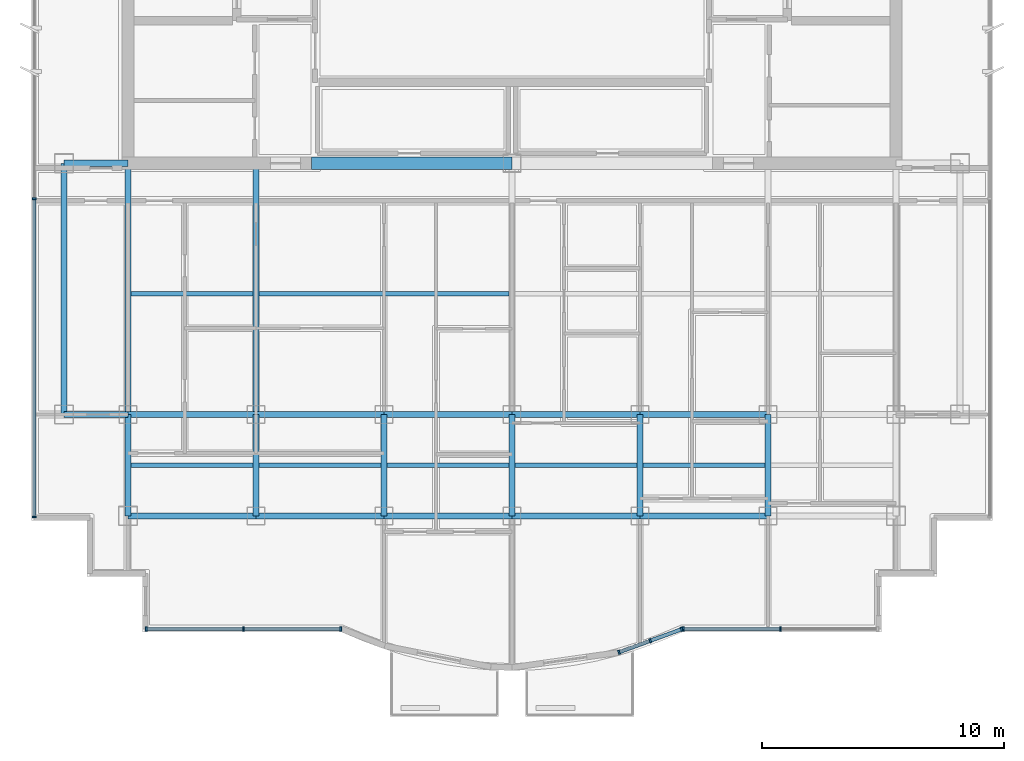
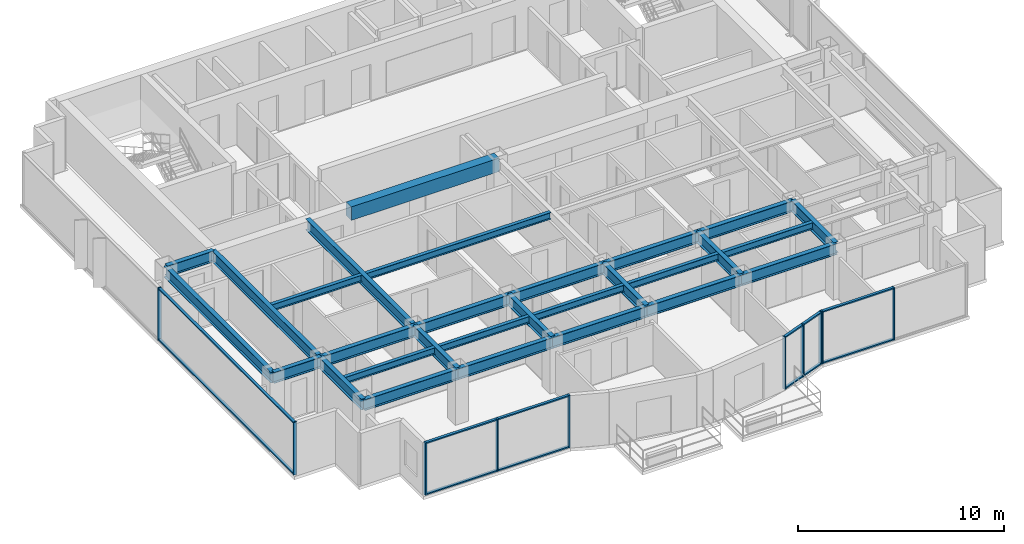
# One storey, part 2 of 12: 29 beams, 22 members, 4 elements without a shape of their own.
"""IFC4 building model written with IfcOpenShell, lengths in metres."""

from ifc_helpers import new_model, si_unit, direction, frame, origin, origin_2d, place, context, subcontext, project, spatial, rectangle, i_section, extrude, source, transform, mapped, material, layer, layer_set, material_profile, profile_set, type_object, element, aggregate, save


model = new_model("IFC4")

# Units and contexts
model_context = context("Model", 3, precision=1e-05, world=origin(), true_north=direction((0.0, 1.0)))
body_context = subcontext(model_context, "Body", "Model", "MODEL_VIEW")
ifc_project = project(units=[si_unit("LENGTHUNIT", "METRE"), si_unit("AREAUNIT", "SQUARE_METRE"), si_unit("VOLUMEUNIT", "CUBIC_METRE"), si_unit("PLANEANGLEUNIT", "RADIAN"), si_unit("MASSUNIT", "GRAM", prefix="KILO")], contexts=[model_context])

# Site, building, storey
site_placement = place(None, origin())
site = spatial("IfcSite", under=ifc_project, at=site_placement, CompositionType="ELEMENT")
building_placement = place(site_placement, origin())
building = spatial("IfcBuilding", under=site, at=building_placement, Name="Qianlan Lanfeng Residences", CompositionType="ELEMENT")
storey_placement = place(building_placement, frame((0.0, 0.0, 216.5)))
storey = spatial("IfcBuildingStorey", under=building, at=storey_placement, Name="L59", CompositionType="ELEMENT", Elevation=216.5)

# Beams
ifc_material_1 = material(Name="Steel SN490B", Category="steel")
ifc_material_profile_1 = material_profile(ifc_material_1, i_section(OverallWidth=0.25, OverallDepth=0.64990234375, WebThickness=0.012939453125, FlangeThickness=0.02197265625, at=origin_2d()), Name="H 650x250x13x22")
ifc_profile_set_1 = profile_set([ifc_material_profile_1], Name="Steel SN490B")
beam_type_1 = type_object("IfcBeamType", Name="G-650", PredefinedType="BEAM", material=ifc_profile_set_1)
beam_1_placement = place(storey_placement, frame((10.60009765625, 10.60009765625, 2.784912109375), z_axis=(1.0, 0.0, 0.0), x_axis=(0.0, 1.0, 0.0)))
element("IfcBeam", 1, at=beam_1_placement, inside=storey, type_object=beam_type_1, Name="Structural beam G-650", PredefinedType="BEAM", context=body_context, shape_type="SweptSolid", body=[
    extrude(i_section(OverallWidth=0.25, OverallDepth=0.64990234375, WebThickness=0.012939453125, FlangeThickness=0.02197265625, at=origin_2d()), origin(), (0.0, 0.0, 1.0), 5.2998046875),
])
for number, where, z_axis, x_axis, name in (
    (2, (15.89990234375, 10.60009765625, 2.784912109375), (1.0, 0.0, 0.0), (0.0, 1.0, 0.0), "Structural beam G-650"),
    (3, (21.199951171875, 10.60009765625, 2.784912109375), (1.0, 0.0, 0.0), (0.0, 1.0, 0.0), "Structural beam G-650"),
    (4, (26.5, 10.60009765625, 2.784912109375), (1.0, 0.0, 0.0), (0.0, 1.0, 0.0), "Structural beam G-650"),
    (5, (31.800048828125, 10.60009765625, 2.784912109375), (1.0, 0.0, 0.0), (0.0, 1.0, 0.0), "Structural beam G-650"),
):
    element("IfcBeam", number, at=place(storey_placement, frame(where, z_axis=z_axis, x_axis=x_axis)), inside=storey, type_object=beam_type_1, Name=name, PredefinedType="BEAM", context=body_context, shape_type="SweptSolid", body=[
        extrude(i_section(OverallWidth=0.25, OverallDepth=0.64990234375, WebThickness=0.012939453125, FlangeThickness=0.02197265625, at=origin_2d()), origin(), (0.0, 0.0, 1.0), 5.300048828125),
    ])
beam_2_placement = place(storey_placement, frame((7.949951171875, 14.800048828125, 2.784912109375), z_axis=(1.0, 0.0, 0.0), x_axis=(0.0, 1.0, 0.0)))
element("IfcBeam", 6, at=beam_2_placement, inside=storey, type_object=beam_type_1, Name="Structural beam G-650", PredefinedType="BEAM", context=body_context, shape_type="SweptSolid", body=[
    extrude(i_section(OverallWidth=0.25, OverallDepth=0.64990234375, WebThickness=0.012939453125, FlangeThickness=0.02197265625, at=origin_2d()), origin(), (0.0, 0.0, 1.0), 2.650146484375),
])
beam_3_placement = place(storey_placement, frame((10.60009765625, 14.800048828125, 2.784912109375), z_axis=(1.0, 0.0, 0.0), x_axis=(0.0, 1.0, 0.0)))
element("IfcBeam", 7, at=beam_3_placement, inside=storey, type_object=beam_type_1, Name="Structural beam G-650", PredefinedType="BEAM", context=body_context, shape_type="SweptSolid", body=[
    extrude(i_section(OverallWidth=0.25, OverallDepth=0.64990234375, WebThickness=0.012939453125, FlangeThickness=0.02197265625, at=origin_2d()), origin(), (0.0, 0.0, 1.0), 5.2998046875),
])
for number, where, z_axis, x_axis, name in (
    (8, (15.89990234375, 14.800048828125, 2.784912109375), (1.0, 0.0, 0.0), (0.0, 1.0, 0.0), "Structural beam G-650"),
    (9, (21.199951171875, 14.800048828125, 2.784912109375), (1.0, 0.0, 0.0), (0.0, 1.0, 0.0), "Structural beam G-650"),
    (10, (26.5, 14.800048828125, 2.784912109375), (1.0, 0.0, 0.0), (0.0, 1.0, 0.0), "Structural beam G-650"),
    (11, (31.800048828125, 14.800048828125, 2.784912109375), (1.0, 0.0, 0.0), (0.0, 1.0, 0.0), "Structural beam G-650"),
):
    element("IfcBeam", number, at=place(storey_placement, frame(where, z_axis=z_axis, x_axis=x_axis)), inside=storey, type_object=beam_type_1, Name=name, PredefinedType="BEAM", context=body_context, shape_type="SweptSolid", body=[
        extrude(i_section(OverallWidth=0.25, OverallDepth=0.64990234375, WebThickness=0.012939453125, FlangeThickness=0.02197265625, at=origin_2d()), origin(), (0.0, 0.0, 1.0), 5.300048828125),
    ])
beam_4_placement = place(storey_placement, frame((7.949951171875, 25.199951171875, 2.784912109375), z_axis=(1.0, 0.0, 0.0), x_axis=(0.0, 1.0, 0.0)))
element("IfcBeam", 12, at=beam_4_placement, inside=storey, type_object=beam_type_1, Name="Structural beam G-650", PredefinedType="BEAM", context=body_context, shape_type="SweptSolid", body=[
    extrude(i_section(OverallWidth=0.25, OverallDepth=0.64990234375, WebThickness=0.012939453125, FlangeThickness=0.02197265625, at=origin_2d()), origin(), (0.0, 0.0, 1.0), 2.650146484375),
])
beam_5_placement = place(storey_placement, frame((10.60009765625, 10.60009765625, 2.784912109375), z_axis=(0.0, 1.0, 0.0), x_axis=(-1.0, 0.0, 0.0)))
element("IfcBeam", 13, at=beam_5_placement, inside=storey, type_object=beam_type_1, Name="Structural beam G-650", PredefinedType="BEAM", context=body_context, shape_type="SweptSolid", body=[
    extrude(i_section(OverallWidth=0.25, OverallDepth=0.64990234375, WebThickness=0.012939453125, FlangeThickness=0.02197265625, at=origin_2d()), origin(), (0.0, 0.0, 1.0), 4.199951171875),
])
beam_6_placement = place(storey_placement, frame((10.60009765625, 14.800048828125, 2.784912109375), z_axis=(0.0, 1.0, 0.0), x_axis=(-1.0, 0.0, 0.0)))
element("IfcBeam", 14, at=beam_6_placement, inside=storey, type_object=beam_type_1, Name="Structural beam G-650", PredefinedType="BEAM", context=body_context, shape_type="SweptSolid", body=[
    extrude(i_section(OverallWidth=0.25, OverallDepth=0.64990234375, WebThickness=0.012939453125, FlangeThickness=0.02197265625, at=origin_2d()), origin(), (0.0, 0.0, 1.0), 10.39990234375),
])
beam_7_placement = place(storey_placement, frame((15.89990234375, 10.60009765625, 2.784912109375), z_axis=(0.0, 1.0, 0.0), x_axis=(-1.0, 0.0, 0.0)))
element("IfcBeam", 15, at=beam_7_placement, inside=storey, type_object=beam_type_1, Name="Structural beam G-650", PredefinedType="BEAM", context=body_context, shape_type="SweptSolid", body=[
    extrude(i_section(OverallWidth=0.25, OverallDepth=0.64990234375, WebThickness=0.012939453125, FlangeThickness=0.02197265625, at=origin_2d()), origin(), (0.0, 0.0, 1.0), 4.199951171875),
])
beam_8_placement = place(storey_placement, frame((15.89990234375, 14.800048828125, 2.784912109375), z_axis=(0.0, 1.0, 0.0), x_axis=(-1.0, 0.0, 0.0)))
element("IfcBeam", 16, at=beam_8_placement, inside=storey, type_object=beam_type_1, Name="Structural beam G-650", PredefinedType="BEAM", context=body_context, shape_type="SweptSolid", body=[
    extrude(i_section(OverallWidth=0.25, OverallDepth=0.64990234375, WebThickness=0.012939453125, FlangeThickness=0.02197265625, at=origin_2d()), origin(), (0.0, 0.0, 1.0), 10.39990234375),
])
for number, where, z_axis, x_axis, name in (
    (17, (21.199951171875, 10.60009765625, 2.784912109375), (0.0, 1.0, 0.0), (-1.0, 0.0, 0.0), "Structural beam G-650"),
    (18, (26.5, 10.60009765625, 2.784912109375), (0.0, 1.0, 0.0), (-1.0, 0.0, 0.0), "Structural beam G-650"),
    (19, (31.800048828125, 10.60009765625, 2.784912109375), (0.0, 1.0, 0.0), (-1.0, 0.0, 0.0), "Structural beam G-650"),
    (20, (37.10009765625, 10.60009765625, 2.784912109375), (0.0, 1.0, 0.0), (-1.0, 0.0, 0.0), "Structural beam G-650"),
):
    element("IfcBeam", number, at=place(storey_placement, frame(where, z_axis=z_axis, x_axis=x_axis)), inside=storey, type_object=beam_type_1, Name=name, PredefinedType="BEAM", context=body_context, shape_type="SweptSolid", body=[
        extrude(i_section(OverallWidth=0.25, OverallDepth=0.64990234375, WebThickness=0.012939453125, FlangeThickness=0.02197265625, at=origin_2d()), origin(), (0.0, 0.0, 1.0), 4.199951171875),
    ])
ifc_material_profile_2 = material_profile(ifc_material_1, i_section(OverallWidth=0.199951171875, OverallDepth=0.39990234375, WebThickness=0.008056640625, FlangeThickness=0.012939453125, at=origin_2d()), Name="H 400x200x8x13")
ifc_profile_set_2 = profile_set([ifc_material_profile_2], Name="Steel SN490B")
beam_type_2 = type_object("IfcBeamType", Name="J-400", PredefinedType="JOIST", material=ifc_profile_set_2)
beam_9_placement = place(storey_placement, frame((10.72509765625, 12.699951171875, 2.909912109375), z_axis=(1.0, 0.0, 0.0), x_axis=(0.0, 1.0, 0.0)))
element("IfcBeam", 21, at=beam_9_placement, inside=storey, type_object=beam_type_2, Name="Structural beam J-400", PredefinedType="JOIST", context=body_context, shape_type="SweptSolid", body=[
    extrude(i_section(OverallWidth=0.199951171875, OverallDepth=0.39990234375, WebThickness=0.008056640625, FlangeThickness=0.012939453125, at=origin_2d()), origin(), (0.0, 0.0, 1.0), 5.0498046875),
])
for number, where, z_axis, x_axis, name in (
    (22, (16.02490234375, 12.699951171875, 2.909912109375), (1.0, 0.0, 0.0), (0.0, 1.0, 0.0), "Structural beam J-400"),
    (23, (21.324951171875, 12.699951171875, 2.909912109375), (1.0, 0.0, 0.0), (0.0, 1.0, 0.0), "Structural beam J-400"),
    (24, (26.625, 12.699951171875, 2.909912109375), (1.0, 0.0, 0.0), (0.0, 1.0, 0.0), "Structural beam J-400"),
    (25, (31.925048828125, 12.699951171875, 2.909912109375), (1.0, 0.0, 0.0), (0.0, 1.0, 0.0), "Structural beam J-400"),
):
    element("IfcBeam", number, at=place(storey_placement, frame(where, z_axis=z_axis, x_axis=x_axis)), inside=storey, type_object=beam_type_2, Name=name, PredefinedType="JOIST", context=body_context, shape_type="SweptSolid", body=[
        extrude(i_section(OverallWidth=0.199951171875, OverallDepth=0.39990234375, WebThickness=0.008056640625, FlangeThickness=0.012939453125, at=origin_2d()), origin(), (0.0, 0.0, 1.0), 5.050048828125),
    ])
beam_10_placement = place(storey_placement, frame((10.72509765625, 19.800048828125, 2.909912109375), z_axis=(1.0, 0.0, 0.0), x_axis=(0.0, 1.0, 0.0)))
element("IfcBeam", 26, at=beam_10_placement, inside=storey, type_object=beam_type_2, Name="Structural beam J-400", PredefinedType="JOIST", context=body_context, shape_type="SweptSolid", body=[
    extrude(i_section(OverallWidth=0.199951171875, OverallDepth=0.39990234375, WebThickness=0.008056640625, FlangeThickness=0.012939453125, at=origin_2d()), origin(), (0.0, 0.0, 1.0), 5.0498046875),
])
beam_11_placement = place(storey_placement, frame((16.02490234375, 19.800048828125, 2.909912109375), z_axis=(1.0, 0.0, 0.0), x_axis=(0.0, 1.0, 0.0)))
element("IfcBeam", 27, at=beam_11_placement, inside=storey, type_object=beam_type_2, Name="Structural beam J-400", PredefinedType="JOIST", context=body_context, shape_type="SweptSolid", body=[
    extrude(i_section(OverallWidth=0.199951171875, OverallDepth=0.39990234375, WebThickness=0.008056640625, FlangeThickness=0.012939453125, at=origin_2d()), origin(), (0.0, 0.0, 1.0), 10.35009765625),
])
ifc_material_2 = material(Name="Concrete C49", Category="concrete")
ifc_material_profile_3 = material_profile(ifc_material_2, rectangle(XDim=0.5, YDim=0.800048828125, at=origin_2d()), Name="RC 500x800")
ifc_profile_set_3 = profile_set([ifc_material_profile_3], Name="Concrete C49")
beam_type_3 = type_object("IfcBeamType", Name="LB-RC750", PredefinedType="BEAM", material=ifc_profile_set_3)
beam_12_placement = place(storey_placement, frame((18.199951171875, 25.199951171875, 2.7099609375), z_axis=(1.0, 0.0, 0.0), x_axis=(0.0, 1.0, 0.0)))
element("IfcBeam", 28, at=beam_12_placement, inside=storey, type_object=beam_type_3, Name="L59 Core Coupling Beam W", PredefinedType="BEAM", context=body_context, shape_type="SweptSolid", body=[
    extrude(rectangle(XDim=0.5, YDim=0.800048828125, at=origin_2d()), origin(), (0.0, 0.0, 1.0), 8.300048828125),
])
ifc_material_profile_4 = material_profile(ifc_material_1, i_section(OverallWidth=0.25, OverallDepth=0.64990234375, WebThickness=0.012939453125, FlangeThickness=0.02197265625, at=origin_2d()), Name="H 650x250x13x22")
ifc_profile_set_4 = profile_set([ifc_material_profile_4], Name="Steel SN490B")
beam_type_4 = type_object("IfcBeamType", Name="SG-650", PredefinedType="SPANDREL", material=ifc_profile_set_4)
beam_13_placement = place(storey_placement, frame((7.949951171875, 14.800048828125, 2.764892578125), z_axis=(0.0, 1.0, 0.0), x_axis=(-1.0, 0.0, 0.0)))
element("IfcBeam", 29, at=beam_13_placement, inside=storey, type_object=beam_type_4, Name="Structural beam SG-650", PredefinedType="SPANDREL", context=body_context, shape_type="SweptSolid", body=[
    extrude(i_section(OverallWidth=0.25, OverallDepth=0.64990234375, WebThickness=0.012939453125, FlangeThickness=0.02197265625, at=origin_2d()), origin(), (0.0, 0.0, 1.0), 10.39990234375),
])

# Curtain wall, members
ifc_material_3 = material(Name="Anodised Bronze Aluminium 6063-T6", Category="aluminium")
ifc_layer = layer(ifc_material_3, 0.219970703125)
ifc_layer_set = layer_set([ifc_layer], Name="Anodised Bronze Aluminium 6063-T6")
curtain_wall_type = type_object("IfcCurtainWallType", Name="CW-05", PredefinedType="NOTDEFINED", material=ifc_layer_set)
curtain_wall_1_placement = place(storey_placement, origin())
curtain_wall_1 = element("IfcCurtainWall", 30, at=curtain_wall_1_placement, inside=storey, type_object=curtain_wall_type, Name="L59 Unitised Curtain Wall CWR-L59-01 (CW-05)", PredefinedType="NOTDEFINED")
ifc_material_profile_5 = material_profile(ifc_material_3, rectangle(XDim=0.074951171875, YDim=0.14990234375, at=origin_2d()), Name="ALU TRANSOM 75x150")
ifc_profile_set_5 = profile_set([ifc_material_profile_5], Name="Anodised Bronze Aluminium 6063-T6")
member_type_1 = type_object("IfcMemberType", Name="CWT-150", PredefinedType="USERDEFINED", material=ifc_profile_set_5)
shared_shape_1 = source(origin(), body_context, "Body", "SweptSolid", [
    extrude(rectangle(XDim=0.074951171875, YDim=0.14990234375, at=origin_2d()), origin(), (0.0, 0.0, 1.0), 3.949462890625),
])
member_1_placement = place(storey_placement, frame((11.39501953125, 5.919921875, 0.03759765625), z_axis=(1.0, 0.0, 0.0), x_axis=(0.0, 0.0, 1.0)))
member_1 = element("IfcMember", 31, at=member_1_placement, type_object=member_type_1, Name="CWR-L59-01 Transom 1-BOT", ObjectType="TRANSOM", PredefinedType="USERDEFINED", context=body_context, shape_type="MappedRepresentation", body=[
    mapped(shared_shape_1, transform((0.0, 0.0, 0.0), scale=1.0)),
])
member_2_placement = place(storey_placement, frame((11.39501953125, 5.919921875, 3.072509765625), z_axis=(1.0, 0.0, 0.0), x_axis=(0.0, 0.0, 1.0)))
member_2 = element("IfcMember", 32, at=member_2_placement, type_object=member_type_1, Name="CWR-L59-01 Transom 1-TOP", ObjectType="TRANSOM", PredefinedType="USERDEFINED", context=body_context, shape_type="MappedRepresentation", body=[
    mapped(shared_shape_1, transform((0.0, 0.0, 0.0), scale=1.0)),
])
member_3_placement = place(storey_placement, frame((15.41943359375, 5.919921875, 0.03759765625), z_axis=(1.0, 0.0, 0.0), x_axis=(0.0, 0.0, 1.0)))
member_3 = element("IfcMember", 33, at=member_3_placement, type_object=member_type_1, Name="CWR-L59-01 Transom 2-BOT", ObjectType="TRANSOM", PredefinedType="USERDEFINED", context=body_context, shape_type="MappedRepresentation", body=[
    mapped(shared_shape_1, transform((0.0, 0.0, 0.0), scale=1.0)),
])
member_4_placement = place(storey_placement, frame((15.41943359375, 5.919921875, 3.072509765625), z_axis=(1.0, 0.0, 0.0), x_axis=(0.0, 0.0, 1.0)))
member_4 = element("IfcMember", 34, at=member_4_placement, type_object=member_type_1, Name="CWR-L59-01 Transom 2-TOP", ObjectType="TRANSOM", PredefinedType="USERDEFINED", context=body_context, shape_type="MappedRepresentation", body=[
    mapped(shared_shape_1, transform((0.0, 0.0, 0.0), scale=1.0)),
])

curtain_wall_2_placement = place(storey_placement, origin())
curtain_wall_2 = element("IfcCurtainWall", 35, at=curtain_wall_2_placement, inside=storey, type_object=curtain_wall_type, Name="L59 Unitised Curtain Wall CWR-L59-03 (CW-05)", PredefinedType="NOTDEFINED")
member_5_placement = place(storey_placement, frame((33.631103515625, 5.919921875, 0.03759765625), z_axis=(1.0, 0.0, 0.0), x_axis=(0.0, 0.0, 1.0)))
member_5 = element("IfcMember", 36, at=member_5_placement, type_object=member_type_1, Name="CWR-L59-03 Transom 1-BOT", ObjectType="TRANSOM", PredefinedType="USERDEFINED", context=body_context, shape_type="MappedRepresentation", body=[
    mapped(shared_shape_1, transform((0.0, 0.0, 0.0), scale=1.0)),
])
member_6_placement = place(storey_placement, frame((33.631103515625, 5.919921875, 3.072509765625), z_axis=(1.0, 0.0, 0.0), x_axis=(0.0, 0.0, 1.0)))
member_6 = element("IfcMember", 37, at=member_6_placement, type_object=member_type_1, Name="CWR-L59-03 Transom 1-TOP", ObjectType="TRANSOM", PredefinedType="USERDEFINED", context=body_context, shape_type="MappedRepresentation", body=[
    mapped(shared_shape_1, transform((0.0, 0.0, 0.0), scale=1.0)),
])

# Member
ifc_material_profile_6 = material_profile(ifc_material_3, rectangle(XDim=0.074951171875, YDim=0.179931640625, at=origin_2d()), Name="ALU MULLION 75x180")
ifc_profile_set_6 = profile_set([ifc_material_profile_6], Name="Anodised Bronze Aluminium 6063-T6")
member_type_2 = type_object("IfcMemberType", Name="CWM-180", PredefinedType="MULLION", material=ifc_profile_set_6)
shared_shape_2 = source(origin(), body_context, "Body", "SweptSolid", [
    extrude(rectangle(XDim=0.074951171875, YDim=0.179931640625, at=origin_2d()), origin(), (0.0, 0.0, 1.0), 3.110107421875),
])
member_7_placement = place(storey_placement, frame((11.357421875, 5.919921875, 0.0), z_axis=(0.0, 0.0, 1.0), x_axis=(1.0, 0.0, 0.0)))
member_7 = element("IfcMember", 38, at=member_7_placement, type_object=member_type_2, Name="CWR-L59-01 Mullion 1", PredefinedType="MULLION", context=body_context, shape_type="MappedRepresentation", body=[
    mapped(shared_shape_2, transform((0.0, 0.0, 0.0), scale=1.0)),
])

member_8_placement = place(storey_placement, frame((15.382080078125, 5.919921875, 0.0), z_axis=(0.0, 0.0, 1.0), x_axis=(1.0, 0.0, 0.0)))
member_8 = element("IfcMember", 39, at=member_8_placement, type_object=member_type_2, Name="CWR-L59-01 Mullion 2", PredefinedType="MULLION", context=body_context, shape_type="MappedRepresentation", body=[
    mapped(shared_shape_2, transform((0.0, 0.0, 0.0), scale=1.0)),
])

member_9_placement = place(storey_placement, frame((19.406494140625, 5.919921875, 0.0), z_axis=(0.0, 0.0, 1.0), x_axis=(1.0, 0.0, 0.0)))
member_9 = element("IfcMember", 40, at=member_9_placement, type_object=member_type_2, Name="CWR-L59-01 Mullion 3", PredefinedType="MULLION", context=body_context, shape_type="MappedRepresentation", body=[
    mapped(shared_shape_2, transform((0.0, 0.0, 0.0), scale=1.0)),
])

aggregate(curtain_wall_1, [member_7, member_8, member_9, member_1, member_2, member_3, member_4])

# Curtain wall, members
curtain_wall_3_placement = place(storey_placement, origin())
curtain_wall_3 = element("IfcCurtainWall", 41, at=curtain_wall_3_placement, inside=storey, type_object=curtain_wall_type, Name="L59 Unitised Curtain Wall CWR-L59-02 (CW-05)", PredefinedType="NOTDEFINED")
member_10_placement = place(storey_placement, frame((30.92724609375, 4.953857421875, 0.0), z_axis=(0.0, 0.0, 1.0), x_axis=(0.938625538563, 0.344937818101, 0.0)))
member_10 = element("IfcMember", 42, at=member_10_placement, type_object=member_type_2, Name="CWR-L59-02 Mullion 1", PredefinedType="MULLION", context=body_context, shape_type="MappedRepresentation", body=[
    mapped(shared_shape_2, transform((0.0, 0.0, 0.0), scale=1.0)),
])
member_11_placement = place(storey_placement, frame((32.22412109375, 5.430419921875, 0.0), z_axis=(0.0, 0.0, 1.0), x_axis=(0.938625538563, 0.344937818101, 0.0)))
member_11 = element("IfcMember", 43, at=member_11_placement, type_object=member_type_2, Name="CWR-L59-02 Mullion 2", PredefinedType="MULLION", context=body_context, shape_type="MappedRepresentation", body=[
    mapped(shared_shape_2, transform((0.0, 0.0, 0.0), scale=1.0)),
])
member_12_placement = place(storey_placement, frame((33.520751953125, 5.906982421875, 0.0), z_axis=(0.0, 0.0, 1.0), x_axis=(0.938625538563, 0.344937818101, 0.0)))
member_12 = element("IfcMember", 44, at=member_12_placement, type_object=member_type_2, Name="CWR-L59-02 Mullion 3", PredefinedType="MULLION", context=body_context, shape_type="MappedRepresentation", body=[
    mapped(shared_shape_2, transform((0.0, 0.0, 0.0), scale=1.0)),
])

# Member
member_13_placement = place(storey_placement, frame((33.593505859375, 5.919921875, 0.0), z_axis=(0.0, 0.0, 1.0), x_axis=(1.0, 0.0, 0.0)))
member_13 = element("IfcMember", 45, at=member_13_placement, type_object=member_type_2, Name="CWR-L59-03 Mullion 1", PredefinedType="MULLION", context=body_context, shape_type="MappedRepresentation", body=[
    mapped(shared_shape_2, transform((0.0, 0.0, 0.0), scale=1.0)),
])

member_14_placement = place(storey_placement, frame((37.617919921875, 5.919921875, 0.0), z_axis=(0.0, 0.0, 1.0), x_axis=(1.0, 0.0, 0.0)))
member_14 = element("IfcMember", 46, at=member_14_placement, type_object=member_type_2, Name="CWR-L59-03 Mullion 2", PredefinedType="MULLION", context=body_context, shape_type="MappedRepresentation", body=[
    mapped(shared_shape_2, transform((0.0, 0.0, 0.0), scale=1.0)),
])

aggregate(curtain_wall_2, [member_13, member_14, member_5, member_6])

# Curtain wall, members
curtain_wall_4_placement = place(storey_placement, origin())
curtain_wall_4 = element("IfcCurtainWall", 47, at=curtain_wall_4_placement, inside=storey, type_object=curtain_wall_type, Name="L59 Unitised Curtain Wall CWR-L59-05 (CW-05)", PredefinedType="NOTDEFINED")
member_15_placement = place(storey_placement, frame((6.719970703125, 23.72509765625, 0.0), z_axis=(0.0, 0.0, 1.0), x_axis=(0.0, -1.0, 0.0)))
member_15 = element("IfcMember", 48, at=member_15_placement, type_object=member_type_2, Name="CWR-L59-05 Mullion 2", PredefinedType="MULLION", context=body_context, shape_type="MappedRepresentation", body=[
    mapped(shared_shape_2, transform((0.0, 0.0, 0.0), scale=1.0)),
])
member_16_placement = place(storey_placement, frame((6.719970703125, 10.5576171875, 0.0), z_axis=(0.0, 0.0, 1.0), x_axis=(0.0, -1.0, 0.0)))
member_16 = element("IfcMember", 49, at=member_16_placement, type_object=member_type_2, Name="CWR-L59-05 Mullion 3", PredefinedType="MULLION", context=body_context, shape_type="MappedRepresentation", body=[
    mapped(shared_shape_2, transform((0.0, 0.0, 0.0), scale=1.0)),
])

# Member
shared_shape_3 = source(origin(), body_context, "Body", "SweptSolid", [
    extrude(rectangle(XDim=0.074951171875, YDim=0.14990234375, at=origin_2d()), origin(), (0.0, 0.0, 1.0), 1.306396484375),
])
member_17_placement = place(storey_placement, frame((30.96240234375, 4.966796875, 0.03759765625), z_axis=(0.938620376522, 0.344951864436, 0.0), x_axis=(0.0, 0.0, 1.0)))
member_17 = element("IfcMember", 50, at=member_17_placement, type_object=member_type_1, Name="CWR-L59-02 Transom 1-BOT", ObjectType="TRANSOM", PredefinedType="USERDEFINED", context=body_context, shape_type="MappedRepresentation", body=[
    mapped(shared_shape_3, transform((0.0, 0.0, 0.0), scale=1.0)),
])

member_18_placement = place(storey_placement, frame((30.96240234375, 4.966796875, 3.072509765625), z_axis=(0.938620376522, 0.344951864436, 0.0), x_axis=(0.0, 0.0, 1.0)))
member_18 = element("IfcMember", 51, at=member_18_placement, type_object=member_type_1, Name="CWR-L59-02 Transom 1-TOP", ObjectType="TRANSOM", PredefinedType="USERDEFINED", context=body_context, shape_type="MappedRepresentation", body=[
    mapped(shared_shape_3, transform((0.0, 0.0, 0.0), scale=1.0)),
])

member_19_placement = place(storey_placement, frame((32.25927734375, 5.443359375, 0.03759765625), z_axis=(0.938620376522, 0.344951864436, 0.0), x_axis=(0.0, 0.0, 1.0)))
member_19 = element("IfcMember", 52, at=member_19_placement, type_object=member_type_1, Name="CWR-L59-02 Transom 2-BOT", ObjectType="TRANSOM", PredefinedType="USERDEFINED", context=body_context, shape_type="MappedRepresentation", body=[
    mapped(shared_shape_3, transform((0.0, 0.0, 0.0), scale=1.0)),
])

member_20_placement = place(storey_placement, frame((32.25927734375, 5.443359375, 3.072509765625), z_axis=(0.938620376522, 0.344951864436, 0.0), x_axis=(0.0, 0.0, 1.0)))
member_20 = element("IfcMember", 53, at=member_20_placement, type_object=member_type_1, Name="CWR-L59-02 Transom 2-TOP", ObjectType="TRANSOM", PredefinedType="USERDEFINED", context=body_context, shape_type="MappedRepresentation", body=[
    mapped(shared_shape_3, transform((0.0, 0.0, 0.0), scale=1.0)),
])

aggregate(curtain_wall_3, [member_10, member_11, member_12, member_17, member_18, member_19, member_20])

shared_shape_4 = source(origin(), body_context, "Body", "SweptSolid", [
    extrude(rectangle(XDim=0.074951171875, YDim=0.14990234375, at=origin_2d()), origin(), (0.0, 0.0, 1.0), 13.092529296875),
])
member_21_placement = place(storey_placement, frame((6.719970703125, 23.6875, 0.03759765625), z_axis=(0.0, -1.0, 0.0), x_axis=(0.0, 0.0, 1.0)))
member_21 = element("IfcMember", 54, at=member_21_placement, type_object=member_type_1, Name="CWR-L59-05 Transom 2-BOT", ObjectType="TRANSOM", PredefinedType="USERDEFINED", context=body_context, shape_type="MappedRepresentation", body=[
    mapped(shared_shape_4, transform((0.0, 0.0, 0.0), scale=1.0)),
])

member_22_placement = place(storey_placement, frame((6.719970703125, 23.6875, 3.072509765625), z_axis=(0.0, -1.0, 0.0), x_axis=(0.0, 0.0, 1.0)))
member_22 = element("IfcMember", 55, at=member_22_placement, type_object=member_type_1, Name="CWR-L59-05 Transom 2-TOP", ObjectType="TRANSOM", PredefinedType="USERDEFINED", context=body_context, shape_type="MappedRepresentation", body=[
    mapped(shared_shape_4, transform((0.0, 0.0, 0.0), scale=1.0)),
])

aggregate(curtain_wall_4, [member_15, member_16, member_21, member_22])

save(model, "model.ifc")
